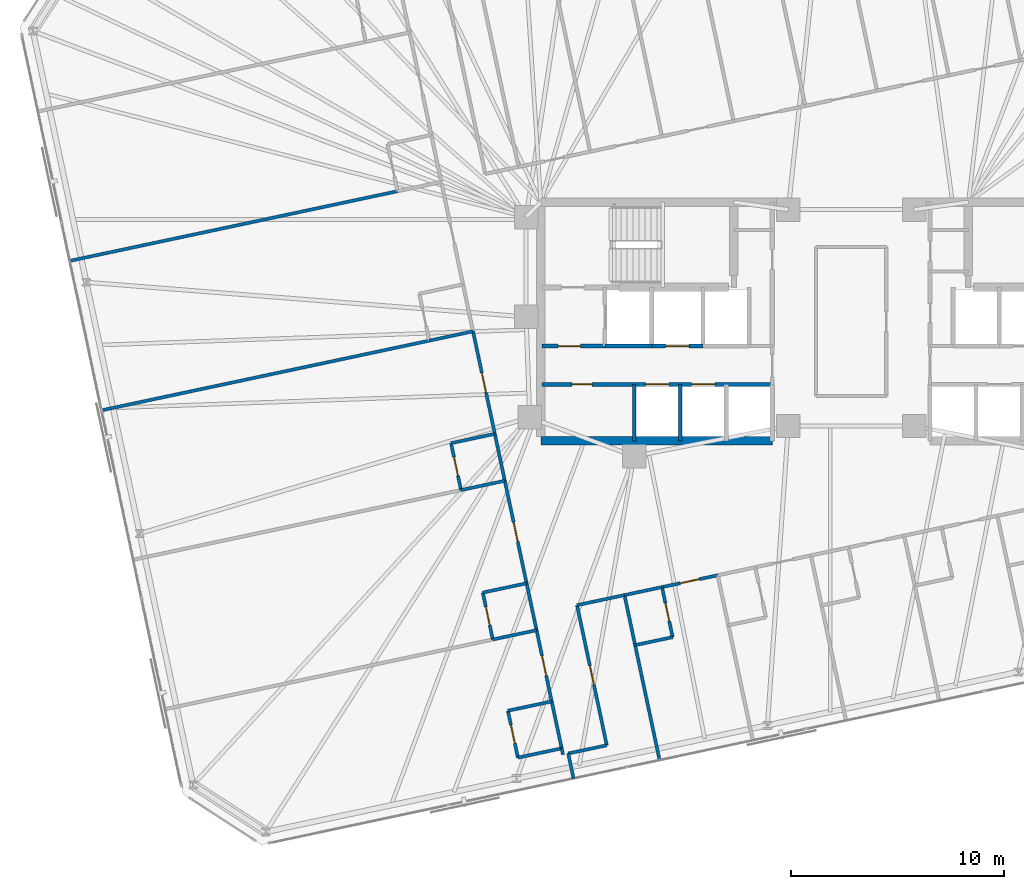
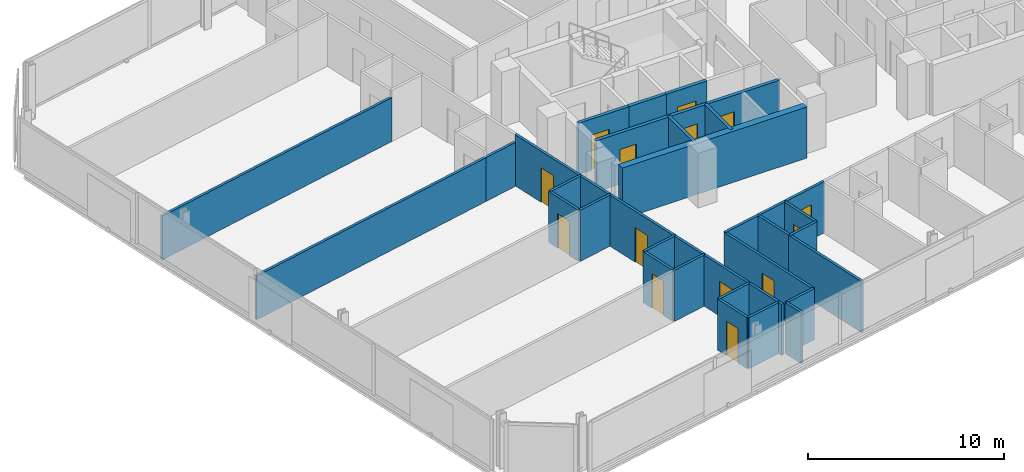
# One storey, part 14 of 21: 36 walls, 14 doors, 14 openings.
"""IFC4 building model written with IfcOpenShell, lengths in metres."""

from ifc_helpers import new_model, si_unit, direction, frame, frame_2d, origin, place, context, subcontext, project, spatial, rectangle, extrude, material, layer, layer_set, type_object, element, fill, save


model = new_model("IFC4")

# Units and contexts
model_context = context("Model", 3, precision=1e-05, world=origin(), true_north=direction((0.0, 1.0)))
body_context = subcontext(model_context, "Body", "Model", "MODEL_VIEW")
ifc_project = project(units=[si_unit("LENGTHUNIT", "METRE"), si_unit("AREAUNIT", "SQUARE_METRE"), si_unit("VOLUMEUNIT", "CUBIC_METRE"), si_unit("PLANEANGLEUNIT", "RADIAN"), si_unit("MASSUNIT", "GRAM", prefix="KILO")], contexts=[model_context])

# Site, building, storey
site_placement = place(None, origin())
site = spatial("IfcSite", under=ifc_project, at=site_placement, CompositionType="ELEMENT")
building_placement = place(site_placement, origin())
building = spatial("IfcBuilding", under=site, at=building_placement, Name="Menara Jurai Vektor", CompositionType="ELEMENT")
storey_placement = place(building_placement, frame((0.0, 0.0, 168.39990234375)))
storey = spatial("IfcBuildingStorey", under=building, at=storey_placement, Name="L43", CompositionType="ELEMENT", Elevation=168.39990234375)

# Wall, opening, door
ifc_material_1 = material(Name="Concrete C40/50", Category="concrete")
ifc_layer_1 = layer(ifc_material_1, 0.25)
ifc_layer_set_1 = layer_set([ifc_layer_1], Name="Concrete C40/50")
wall_type_1 = type_object("IfcWallType", Name="INT-WALL-CORE-250", PredefinedType="STANDARD", material=ifc_layer_set_1)
wall_1_placement = place(storey_placement, frame((-14.5, -1.14990234375, 0.0), z_axis=(0.0, 0.0, 1.0), x_axis=(1.0, 0.0, 0.0)))
wall_1 = element("IfcWall", 1, at=wall_1_placement, inside=storey, type_object=wall_type_1, Name="Interior Wall IW-250 L43", PredefinedType="STANDARD", context=body_context, shape_type="SweptSolid", body=[
    extrude(rectangle(XDim=2.949951171875, YDim=0.199951171875, at=frame_2d((1.47509765625, 0.0))), origin(), (0.0, 0.0, 1.0), 3.175048828125),
])
opening_1_placement = place(wall_1_placement, frame((0.75, 0.0, 0.0)))
opening_1 = element("IfcOpeningElement", 2, at=opening_1_placement, cuts=wall_1, Name="Opening D-L43-FFW", PredefinedType="OPENING", context=body_context, shape_type="SweptSolid", body=[
    extrude(rectangle(XDim=1.050048828125, YDim=2.179931640625, at=frame_2d((0.52490234375, 1.08984375))), frame((0.0, 0.10986328125, 0.0), z_axis=(0.0, -1.0, 0.0), x_axis=(1.0, 0.0, 0.0)), (0.0, 0.0, 1.0), 0.219970703125),
])
ifc_material_2 = material(Name="Fire-Rated Timber Door", Category="wood")
door_type_1 = type_object("IfcDoorType", Name="DR-LOBBY-1050", OperationType="NOTDEFINED", PredefinedType="DOOR", material=ifc_material_2)
door_1_placement = place(opening_1_placement, origin())
door_1 = element("IfcDoor", 3, at=door_1_placement, inside=storey, type_object=door_type_1, Name="Fire Lift Lobby Door W L43", OperationType="SINGLE_SWING_RIGHT", OverallHeight=2.179931640625, OverallWidth=1.050048828125, PredefinedType="DOOR", context=body_context, shape_type="SweptSolid", body=[
    extrude(rectangle(XDim=1.050048828125, YDim=2.179931640625, at=frame_2d((0.52490234375, 1.08984375))), frame((0.0, 0.02490234375, 0.0), z_axis=(0.0, -1.0, 0.0), x_axis=(1.0, 0.0, 0.0)), (0.0, 0.0, 1.0), 0.050048828125),
])
fill(opening_1, door_1)

# Walls
wall_2_placement = place(storey_placement, frame((-11.550048828125, -1.14990234375, 0.0), z_axis=(0.0, 0.0, 1.0), x_axis=(1.0, 0.0, 0.0)))
element("IfcWall", 4, at=wall_2_placement, inside=storey, type_object=wall_type_1, Name="Interior Wall IW-250 L43", PredefinedType="STANDARD", context=body_context, shape_type="SweptSolid", body=[
    extrude(rectangle(XDim=2.199951171875, YDim=0.199951171875, at=frame_2d((1.10009765625, 0.0))), origin(), (0.0, 0.0, 1.0), 3.175048828125),
])
ifc_material_3 = material(Name="Gypsum Fireboard Partition", Category="gypsum")
ifc_layer_2 = layer(ifc_material_3, 0.14990234375)
ifc_layer_set_2 = layer_set([ifc_layer_2], Name="Gypsum Fireboard Partition")
wall_type_2 = type_object("IfcWallType", Name="INT-WALL-CORR-150", PredefinedType="PARTITIONING", material=ifc_layer_set_2)
wall_3_placement = place(storey_placement, frame((-13.274169921875, -20.264892578125, 0.0), z_axis=(0.0, 0.0, 1.0), x_axis=(0.978160192495, 0.207852442415, 0.0)))
element("IfcWall", 5, at=wall_3_placement, inside=storey, type_object=wall_type_2, Name="Interior Wall IW-150 L43", PredefinedType="PARTITIONING", context=body_context, shape_type="SweptSolid", body=[
    extrude(rectangle(XDim=1.849853515625, YDim=0.14990234375, at=frame_2d((0.9248046875, 0.0))), origin(), (0.0, 0.0, 1.0), 3.175048828125),
])

# Wall, opening, door
wall_4_placement = place(storey_placement, frame((-11.464599609375, -19.88037109375, 0.0), z_axis=(0.0, 0.0, 1.0), x_axis=(-0.207916109912, 0.978146661416, 0.0)))
wall_4 = element("IfcWall", 6, at=wall_4_placement, inside=storey, type_object=wall_type_2, Name="Interior Wall IW-150 L43", PredefinedType="PARTITIONING", context=body_context, shape_type="SweptSolid", body=[
    extrude(rectangle(XDim=6.72021484375, YDim=0.14990234375, at=frame_2d((3.360107421875, 0.0))), origin(), (0.0, 0.0, 1.0), 3.175048828125),
])
opening_2_placement = place(wall_4_placement, frame((2.89990234375, 0.0, 0.0)))
opening_2 = element("IfcOpeningElement", 7, at=opening_2_placement, cuts=wall_4, Name="Opening D43-17", PredefinedType="OPENING", context=body_context, shape_type="SweptSolid", body=[
    extrude(rectangle(XDim=0.919921875, YDim=2.14990234375, at=frame_2d((0.4599609375, 1.074951171875))), frame((0.0, 0.0849609375, 0.0), z_axis=(0.0, -1.0, 0.0), x_axis=(1.0, 0.0, 0.0)), (0.0, 0.0, 1.0), 0.169921875),
])
ifc_material_4 = material(Name="Solid Core Timber Fire Door", Category="wood")
door_type_2 = type_object("IfcDoorType", Name="DR-ENTRY-950", OperationType="NOTDEFINED", PredefinedType="DOOR", material=ifc_material_4)
door_2_placement = place(opening_2_placement, origin())
door_2 = element("IfcDoor", 8, at=door_2_placement, inside=storey, type_object=door_type_2, Name="Interior Door D43-17", OperationType="SINGLE_SWING_RIGHT", OverallHeight=2.14990234375, OverallWidth=0.919921875, PredefinedType="DOOR", context=body_context, shape_type="SweptSolid", body=[
    extrude(rectangle(XDim=0.919921875, YDim=2.14990234375, at=frame_2d((0.4599609375, 1.074951171875))), frame((0.0, 0.02490234375, 0.0), z_axis=(0.0, -1.0, 0.0), x_axis=(1.0, 0.0, 0.0)), (0.0, 0.0, 1.0), 0.050048828125),
])
fill(opening_2, door_2)

# Wall
wall_5_placement = place(storey_placement, frame((-12.86181640625, -13.30712890625, 0.0), z_axis=(0.0, 0.0, 1.0), x_axis=(0.978150947903, 0.207895943, 0.0)))
element("IfcWall", 9, at=wall_5_placement, inside=storey, type_object=wall_type_2, Name="Interior Wall IW-150 L43", PredefinedType="PARTITIONING", context=body_context, shape_type="SweptSolid", body=[
    extrude(rectangle(XDim=2.277099609375, YDim=0.14990234375, at=frame_2d((1.138671875, 0.0))), origin(), (0.0, 0.0, 1.0), 3.175048828125),
])

# Wall, opening, door
wall_6_placement = place(storey_placement, frame((-8.873779296875, -12.45947265625, 0.0), z_axis=(0.0, 0.0, 1.0), x_axis=(0.978136784457, 0.207962570894, 0.0)))
wall_6 = element("IfcWall", 10, at=wall_6_placement, inside=storey, type_object=wall_type_2, Name="Interior Wall IW-150 L43", PredefinedType="PARTITIONING", context=body_context, shape_type="SweptSolid", body=[
    extrude(rectangle(XDim=2.671875, YDim=0.14990234375, at=frame_2d((1.3359375, 0.0))), origin(), (0.0, 0.0, 1.0), 3.175048828125),
])
opening_3_placement = place(wall_6_placement, frame((0.8759765625, 0.0, 0.0)))
opening_3 = element("IfcOpeningElement", 11, at=opening_3_placement, cuts=wall_6, Name="Opening D43-18", PredefinedType="OPENING", context=body_context, shape_type="SweptSolid", body=[
    extrude(rectangle(XDim=0.919921875, YDim=2.14990234375, at=frame_2d((0.4599609375, 1.074951171875))), frame((0.0, 0.0849609375, 0.0), z_axis=(0.0, -1.0, 0.0), x_axis=(1.0, 0.0, 0.0)), (0.0, 0.0, 1.0), 0.169921875),
])
door_3_placement = place(opening_3_placement, origin())
door_3 = element("IfcDoor", 12, at=door_3_placement, inside=storey, type_object=door_type_2, Name="Interior Door D43-18", OperationType="SINGLE_SWING_LEFT", OverallHeight=2.14990234375, OverallWidth=0.919921875, PredefinedType="DOOR", context=body_context, shape_type="SweptSolid", body=[
    extrude(rectangle(XDim=0.919921875, YDim=2.14990234375, at=frame_2d((0.4599609375, 1.074951171875))), frame((0.0, 0.02490234375, 0.0), z_axis=(0.0, -1.0, 0.0), x_axis=(1.0, 0.0, 0.0)), (0.0, 0.0, 1.0), 0.050048828125),
])
fill(opening_3, door_3)

# Walls
wall_7_placement = place(storey_placement, frame((-10.634521484375, -12.833740234375, 0.0), z_axis=(0.0, 0.0, 1.0), x_axis=(0.978146440129, 0.207917150959, 0.0)))
element("IfcWall", 13, at=wall_7_placement, inside=storey, type_object=wall_type_2, Name="Interior Wall IW-150 L43", PredefinedType="PARTITIONING", context=body_context, shape_type="SweptSolid", body=[
    extrude(rectangle(XDim=1.800048828125, YDim=0.14990234375, at=frame_2d((0.89990234375, 0.0))), origin(), (0.0, 0.0, 1.0), 3.175048828125),
])
wall_8_placement = place(storey_placement, frame((-13.518798828125, -20.31689453125, 0.0), z_axis=(0.0, 0.0, 1.0), x_axis=(-0.207527808066, 0.978229118806, 0.0)))
element("IfcWall", 14, at=wall_8_placement, inside=storey, type_object=wall_type_2, Name="Interior Wall IW-150 L43", PredefinedType="PARTITIONING", context=body_context, shape_type="SweptSolid", body=[
    extrude(rectangle(XDim=0.300048828125, YDim=0.14990234375, at=frame_2d((0.14990234375, 0.0))), origin(), (0.0, 0.0, 1.0), 3.175048828125),
])

# Wall, opening, door
wall_9_placement = place(storey_placement, frame((-14.048828125, -17.822509765625, 0.0), z_axis=(0.0, 0.0, 1.0), x_axis=(-0.207918572776, 0.978146137903, 0.0)))
wall_9 = element("IfcWall", 15, at=wall_9_placement, inside=storey, type_object=wall_type_2, Name="Interior Wall IW-150 L43", PredefinedType="PARTITIONING", context=body_context, shape_type="SweptSolid", body=[
    extrude(rectangle(XDim=3.4169921875, YDim=0.14990234375, at=frame_2d((1.70849609375, 0.0))), origin(), (0.0, 0.0, 1.0), 3.175048828125),
])
opening_4_placement = place(wall_9_placement, frame((1.2333984375, 0.0, 0.0)))
opening_4 = element("IfcOpeningElement", 16, at=opening_4_placement, cuts=wall_9, Name="Opening D43-30", PredefinedType="OPENING", context=body_context, shape_type="SweptSolid", body=[
    extrude(rectangle(XDim=0.949951171875, YDim=2.14990234375, at=frame_2d((0.47509765625, 1.074951171875))), frame((0.0, 0.0849609375, 0.0), z_axis=(0.0, -1.0, 0.0), x_axis=(1.0, 0.0, 0.0)), (0.0, 0.0, 1.0), 0.169921875),
])
door_4_placement = place(opening_4_placement, origin())
door_4 = element("IfcDoor", 17, at=door_4_placement, inside=storey, type_object=door_type_2, Name="Interior Door D43-30", OperationType="SINGLE_SWING_LEFT", OverallHeight=2.14990234375, OverallWidth=0.949951171875, PredefinedType="DOOR", context=body_context, shape_type="SweptSolid", body=[
    extrude(rectangle(XDim=0.949951171875, YDim=2.14990234375, at=frame_2d((0.47509765625, 1.074951171875))), frame((0.0, 0.02490234375, 0.0), z_axis=(0.0, -1.0, 0.0), x_axis=(1.0, 0.0, 0.0)), (0.0, 0.0, 1.0), 0.050048828125),
])
fill(opening_4, door_4)

# Wall
wall_10_placement = place(storey_placement, frame((-13.5810546875, -20.0234375, 0.0), z_axis=(0.0, 0.0, 1.0), x_axis=(-0.207891197838, 0.978151956427, 0.0)))
element("IfcWall", 18, at=wall_10_placement, inside=storey, type_object=wall_type_2, Name="Interior Wall IW-150 L43", PredefinedType="PARTITIONING", context=body_context, shape_type="SweptSolid", body=[
    extrude(rectangle(XDim=2.25, YDim=0.14990234375, at=frame_2d((1.125, 0.0))), origin(), (0.0, 0.0, 1.0), 3.175048828125),
])

# Wall, opening, door
wall_11_placement = place(storey_placement, frame((-15.22705078125, -12.279296875, 0.0), z_axis=(0.0, 0.0, 1.0), x_axis=(-0.20794488256, 0.978140545023, 0.0)))
wall_11 = element("IfcWall", 19, at=wall_11_placement, inside=storey, type_object=wall_type_2, Name="Interior Wall IW-150 L43", PredefinedType="PARTITIONING", context=body_context, shape_type="SweptSolid", body=[
    extrude(rectangle(XDim=4.915771484375, YDim=0.14990234375, at=frame_2d((2.4580078125, 0.0))), origin(), (0.0, 0.0, 1.0), 3.175048828125),
])
opening_5_placement = place(wall_11_placement, frame((1.98291015625, 0.0, 0.0)))
opening_5 = element("IfcOpeningElement", 20, at=opening_5_placement, cuts=wall_11, Name="Opening D43-32", PredefinedType="OPENING", context=body_context, shape_type="SweptSolid", body=[
    extrude(rectangle(XDim=0.949951171875, YDim=2.14990234375, at=frame_2d((0.47509765625, 1.074951171875))), frame((0.0, 0.0849609375, 0.0), z_axis=(0.0, -1.0, 0.0), x_axis=(1.0, 0.0, 0.0)), (0.0, 0.0, 1.0), 0.169921875),
])
door_5_placement = place(opening_5_placement, origin())
door_5 = element("IfcDoor", 21, at=door_5_placement, inside=storey, type_object=door_type_2, Name="Interior Door D43-32", OperationType="SINGLE_SWING_LEFT", OverallHeight=2.14990234375, OverallWidth=0.949951171875, PredefinedType="DOOR", context=body_context, shape_type="SweptSolid", body=[
    extrude(rectangle(XDim=0.949951171875, YDim=2.14990234375, at=frame_2d((0.47509765625, 1.074951171875))), frame((0.0, 0.02490234375, 0.0), z_axis=(0.0, -1.0, 0.0), x_axis=(1.0, 0.0, 0.0)), (0.0, 0.0, 1.0), 0.050048828125),
])
fill(opening_5, door_5)

# Wall
wall_12_placement = place(storey_placement, frame((-14.75927734375, -14.480224609375, 0.0), z_axis=(0.0, 0.0, 1.0), x_axis=(-0.207891197838, 0.978151956427, 0.0)))
element("IfcWall", 22, at=wall_12_placement, inside=storey, type_object=wall_type_2, Name="Interior Wall IW-150 L43", PredefinedType="PARTITIONING", context=body_context, shape_type="SweptSolid", body=[
    extrude(rectangle(XDim=2.25, YDim=0.14990234375, at=frame_2d((1.125, 0.0))), origin(), (0.0, 0.0, 1.0), 3.175048828125),
])

# Wall, opening, door
wall_13_placement = place(storey_placement, frame((-16.717041015625, -5.27001953125, 0.0), z_axis=(0.0, 0.0, 1.0), x_axis=(-0.207894386012, 0.978151278824, 0.0)))
wall_13 = element("IfcWall", 23, at=wall_13_placement, inside=storey, type_object=wall_type_2, Name="Interior Wall IW-150 L43", PredefinedType="PARTITIONING", context=body_context, shape_type="SweptSolid", body=[
    extrude(rectangle(XDim=4.9169921875, YDim=0.14990234375, at=frame_2d((2.45849609375, 0.0))), origin(), (0.0, 0.0, 1.0), 3.175048828125),
])
opening_6_placement = place(wall_13_placement, frame((1.9833984375, 0.0, 0.0)))
opening_6 = element("IfcOpeningElement", 24, at=opening_6_placement, cuts=wall_13, Name="Opening D43-34", PredefinedType="OPENING", context=body_context, shape_type="SweptSolid", body=[
    extrude(rectangle(XDim=0.949951171875, YDim=2.14990234375, at=frame_2d((0.47509765625, 1.074951171875))), frame((0.0, 0.0849609375, 0.0), z_axis=(0.0, -1.0, 0.0), x_axis=(1.0, 0.0, 0.0)), (0.0, 0.0, 1.0), 0.169921875),
])
door_6_placement = place(opening_6_placement, origin())
door_6 = element("IfcDoor", 25, at=door_6_placement, inside=storey, type_object=door_type_2, Name="Interior Door D43-34", OperationType="SINGLE_SWING_LEFT", OverallHeight=2.14990234375, OverallWidth=0.949951171875, PredefinedType="DOOR", context=body_context, shape_type="SweptSolid", body=[
    extrude(rectangle(XDim=0.949951171875, YDim=2.14990234375, at=frame_2d((0.47509765625, 1.074951171875))), frame((0.0, 0.02490234375, 0.0), z_axis=(0.0, -1.0, 0.0), x_axis=(1.0, 0.0, 0.0)), (0.0, 0.0, 1.0), 0.050048828125),
])
fill(opening_6, door_6)

# Walls
wall_14_placement = place(storey_placement, frame((-16.249267578125, -7.470947265625, 0.0), z_axis=(0.0, 0.0, 1.0), x_axis=(-0.207891197838, 0.978151956427, 0.0)))
element("IfcWall", 26, at=wall_14_placement, inside=storey, type_object=wall_type_2, Name="Interior Wall IW-150 L43", PredefinedType="PARTITIONING", context=body_context, shape_type="SweptSolid", body=[
    extrude(rectangle(XDim=2.25, YDim=0.14990234375, at=frame_2d((1.125, 0.0))), origin(), (0.0, 0.0, 1.0), 3.175048828125),
])
wall_15_placement = place(storey_placement, frame((-8.98779296875, -20.58056640625, 0.0), z_axis=(0.0, 0.0, 1.0), x_axis=(-0.20791588359, 0.978146709523, 0.0)))
element("IfcWall", 27, at=wall_15_placement, inside=storey, type_object=wall_type_2, Name="Interior Wall IW-150 L43", PredefinedType="PARTITIONING", context=body_context, shape_type="SweptSolid", body=[
    extrude(rectangle(XDim=5.52001953125, YDim=0.14990234375, at=frame_2d((2.760009765625, 0.0))), origin(), (0.0, 0.0, 1.0), 3.175048828125),
])
wall_16_placement = place(storey_placement, frame((-10.135498046875, -15.18115234375, 0.0), z_axis=(0.0, 0.0, 1.0), x_axis=(-0.207937840262, 0.978142042133, 0.0)))
element("IfcWall", 28, at=wall_16_placement, inside=storey, type_object=wall_type_2, Name="Interior Wall IW-150 L43", PredefinedType="PARTITIONING", context=body_context, shape_type="SweptSolid", body=[
    extrude(rectangle(XDim=2.39990234375, YDim=0.14990234375, at=frame_2d((1.199951171875, 0.0))), origin(), (0.0, 0.0, 1.0), 3.175048828125),
])
wall_17_placement = place(storey_placement, frame((-13.024658203125, -21.438720703125, 0.0), z_axis=(0.0, 0.0, 1.0), x_axis=(-0.207917150959, 0.978146440129, 0.0)))
element("IfcWall", 29, at=wall_17_placement, inside=storey, type_object=wall_type_2, Name="Interior Wall IW-150 L43", PredefinedType="PARTITIONING", context=body_context, shape_type="SweptSolid", body=[
    extrude(rectangle(XDim=1.199951171875, YDim=0.14990234375, at=frame_2d((0.60009765625, 0.0))), origin(), (0.0, 0.0, 1.0), 3.175048828125),
])
wall_18_placement = place(storey_placement, frame((-10.135498046875, -15.18115234375, 0.0), z_axis=(0.0, 0.0, 1.0), x_axis=(0.978140575842, 0.207944737591, 0.0)))
element("IfcWall", 30, at=wall_18_placement, inside=storey, type_object=wall_type_2, Name="Interior Wall IW-150 L43", PredefinedType="PARTITIONING", context=body_context, shape_type="SweptSolid", body=[
    extrude(rectangle(XDim=1.7998046875, YDim=0.14990234375, at=frame_2d((0.89990234375, 0.0))), origin(), (0.0, 0.0, 1.0), 3.175048828125),
])

# Wall, opening, door
wall_19_placement = place(storey_placement, frame((-8.375, -14.806884765625, 0.0), z_axis=(0.0, 0.0, 1.0), x_axis=(-0.207840504985, 0.978162729042, 0.0)))
wall_19 = element("IfcWall", 31, at=wall_19_placement, inside=storey, type_object=wall_type_2, Name="Interior Wall IW-150 L43", PredefinedType="PARTITIONING", context=body_context, shape_type="SweptSolid", body=[
    extrude(rectangle(XDim=2.39990234375, YDim=0.14990234375, at=frame_2d((1.199951171875, 0.0))), origin(), (0.0, 0.0, 1.0), 3.175048828125),
])
opening_7_placement = place(wall_19_placement, frame((0.760009765625, 0.0, 0.0)))
opening_7 = element("IfcOpeningElement", 32, at=opening_7_placement, cuts=wall_19, Name="Opening D43-19", PredefinedType="OPENING", context=body_context, shape_type="SweptSolid", body=[
    extrude(rectangle(XDim=0.8798828125, YDim=2.14990234375, at=frame_2d((0.43994140625, 1.074951171875))), frame((0.0, 0.0849609375, 0.0), z_axis=(0.0, -1.0, 0.0), x_axis=(1.0, 0.0, 0.0)), (0.0, 0.0, 1.0), 0.169921875),
])
ifc_material_5 = material(Name="Moisture-Resistant Timber Door", Category="wood")
door_type_3 = type_object("IfcDoorType", Name="DR-BATH-880", OperationType="NOTDEFINED", PredefinedType="DOOR", material=ifc_material_5)
door_7_placement = place(opening_7_placement, origin())
door_7 = element("IfcDoor", 33, at=door_7_placement, inside=storey, type_object=door_type_3, Name="Interior Door D43-19", OperationType="SINGLE_SWING_RIGHT", OverallHeight=2.14990234375, OverallWidth=0.8798828125, PredefinedType="DOOR", context=body_context, shape_type="SweptSolid", body=[
    extrude(rectangle(XDim=0.8798828125, YDim=2.14990234375, at=frame_2d((0.43994140625, 1.074951171875))), frame((0.0, 0.02490234375, 0.0), z_axis=(0.0, -1.0, 0.0), x_axis=(1.0, 0.0, 0.0)), (0.0, 0.0, 1.0), 0.050048828125),
])
fill(opening_7, door_7)

wall_20_placement = place(storey_placement, frame((-15.63525390625, -20.4599609375, 0.0), z_axis=(0.0, 0.0, 1.0), x_axis=(-0.207913264065, 0.978147266328, 0.0)))
wall_20 = element("IfcWall", 34, at=wall_20_placement, inside=storey, type_object=wall_type_2, Name="Interior Wall IW-150 L43", PredefinedType="PARTITIONING", context=body_context, shape_type="SweptSolid", body=[
    extrude(rectangle(XDim=2.249755859375, YDim=0.14990234375, at=frame_2d((1.125, 0.0))), origin(), (0.0, 0.0, 1.0), 3.175048828125),
])
opening_8_placement = place(wall_20_placement, frame((0.68505859375, 0.0, 0.0)))
opening_8 = element("IfcOpeningElement", 35, at=opening_8_placement, cuts=wall_20, Name="Opening D43-31", PredefinedType="OPENING", context=body_context, shape_type="SweptSolid", body=[
    extrude(rectangle(XDim=0.8798828125, YDim=2.14990234375, at=frame_2d((0.43994140625, 1.074951171875))), frame((0.0, 0.0849609375, 0.0), z_axis=(0.0, -1.0, 0.0), x_axis=(1.0, 0.0, 0.0)), (0.0, 0.0, 1.0), 0.169921875),
])
door_8_placement = place(opening_8_placement, origin())
door_8 = element("IfcDoor", 36, at=door_8_placement, inside=storey, type_object=door_type_3, Name="Interior Door D43-31", OperationType="SINGLE_SWING_RIGHT", OverallHeight=2.14990234375, OverallWidth=0.8798828125, PredefinedType="DOOR", context=body_context, shape_type="SweptSolid", body=[
    extrude(rectangle(XDim=0.8798828125, YDim=2.14990234375, at=frame_2d((0.43994140625, 1.074951171875))), frame((0.0, 0.02490234375, 0.0), z_axis=(0.0, -1.0, 0.0), x_axis=(1.0, 0.0, 0.0)), (0.0, 0.0, 1.0), 0.050048828125),
])
fill(opening_8, door_8)

# Walls
for number, where, z_axis, x_axis, name in (
    (37, (-15.63525390625, -20.4599609375, 0.0), (0.0, 0.0, 1.0), (0.97815826, 0.207861536591, 0.0), "Interior Wall IW-150 L43"),
    (38, (-16.10302734375, -18.25927734375, 0.0), (0.0, 0.0, 1.0), (0.978134617382, 0.207972763311, 0.0), "Interior Wall IW-150 L43"),
    (39, (-16.8134765625, -14.9169921875, 0.0), (0.0, 0.0, 1.0), (0.978134617382, 0.207972763311, 0.0), "Interior Wall IW-150 L43"),
):
    element("IfcWall", number, at=place(storey_placement, frame(where, z_axis=z_axis, x_axis=x_axis)), inside=storey, type_object=wall_type_2, Name=name, PredefinedType="PARTITIONING", context=body_context, shape_type="SweptSolid", body=[
        extrude(rectangle(XDim=2.10009765625, YDim=0.14990234375, at=frame_2d((1.050048828125, 0.0))), origin(), (0.0, 0.0, 1.0), 3.175048828125),
    ])

# Wall, opening, door
wall_21_placement = place(storey_placement, frame((-16.8134765625, -14.9169921875, 0.0), z_axis=(0.0, 0.0, 1.0), x_axis=(-0.207891197838, 0.978151956427, 0.0)))
wall_21 = element("IfcWall", 40, at=wall_21_placement, inside=storey, type_object=wall_type_2, Name="Interior Wall IW-150 L43", PredefinedType="PARTITIONING", context=body_context, shape_type="SweptSolid", body=[
    extrude(rectangle(XDim=2.25, YDim=0.14990234375, at=frame_2d((1.125, 0.0))), origin(), (0.0, 0.0, 1.0), 3.175048828125),
])
opening_9_placement = place(wall_21_placement, frame((0.68505859375, 0.0, 0.0)))
opening_9 = element("IfcOpeningElement", 41, at=opening_9_placement, cuts=wall_21, Name="Opening D43-33", PredefinedType="OPENING", context=body_context, shape_type="SweptSolid", body=[
    extrude(rectangle(XDim=0.8798828125, YDim=2.14990234375, at=frame_2d((0.43994140625, 1.074951171875))), frame((0.0, 0.0849609375, 0.0), z_axis=(0.0, -1.0, 0.0), x_axis=(1.0, 0.0, 0.0)), (0.0, 0.0, 1.0), 0.169921875),
])
door_9_placement = place(opening_9_placement, origin())
door_9 = element("IfcDoor", 42, at=door_9_placement, inside=storey, type_object=door_type_3, Name="Interior Door D43-33", OperationType="SINGLE_SWING_RIGHT", OverallHeight=2.14990234375, OverallWidth=0.8798828125, PredefinedType="DOOR", context=body_context, shape_type="SweptSolid", body=[
    extrude(rectangle(XDim=0.8798828125, YDim=2.14990234375, at=frame_2d((0.43994140625, 1.074951171875))), frame((0.0, 0.02490234375, 0.0), z_axis=(0.0, -1.0, 0.0), x_axis=(1.0, 0.0, 0.0)), (0.0, 0.0, 1.0), 0.050048828125),
])
fill(opening_9, door_9)

# Walls
wall_22_placement = place(storey_placement, frame((-17.28125, -12.716064453125, 0.0), z_axis=(0.0, 0.0, 1.0), x_axis=(0.978134617382, 0.207972763311, 0.0)))
element("IfcWall", 43, at=wall_22_placement, inside=storey, type_object=wall_type_2, Name="Interior Wall IW-150 L43", PredefinedType="PARTITIONING", context=body_context, shape_type="SweptSolid", body=[
    extrude(rectangle(XDim=2.10009765625, YDim=0.14990234375, at=frame_2d((1.050048828125, 0.0))), origin(), (0.0, 0.0, 1.0), 3.175048828125),
])
wall_23_placement = place(storey_placement, frame((-18.30322265625, -7.907470703125, 0.0), z_axis=(0.0, 0.0, 1.0), x_axis=(0.978153236239, 0.207885176084, 0.0)))
element("IfcWall", 44, at=wall_23_placement, inside=storey, type_object=wall_type_2, Name="Interior Wall IW-150 L43", PredefinedType="PARTITIONING", context=body_context, shape_type="SweptSolid", body=[
    extrude(rectangle(XDim=2.099853515625, YDim=0.14990234375, at=frame_2d((1.0498046875, 0.0))), origin(), (0.0, 0.0, 1.0), 3.175048828125),
])

# Wall, opening, door
wall_24_placement = place(storey_placement, frame((-18.30322265625, -7.907470703125, 0.0), z_axis=(0.0, 0.0, 1.0), x_axis=(-0.207891197838, 0.978151956427, 0.0)))
wall_24 = element("IfcWall", 45, at=wall_24_placement, inside=storey, type_object=wall_type_2, Name="Interior Wall IW-150 L43", PredefinedType="PARTITIONING", context=body_context, shape_type="SweptSolid", body=[
    extrude(rectangle(XDim=2.25, YDim=0.14990234375, at=frame_2d((1.125, 0.0))), origin(), (0.0, 0.0, 1.0), 3.175048828125),
])
opening_10_placement = place(wall_24_placement, frame((0.68505859375, 0.0, 0.0)))
opening_10 = element("IfcOpeningElement", 46, at=opening_10_placement, cuts=wall_24, Name="Opening D43-35", PredefinedType="OPENING", context=body_context, shape_type="SweptSolid", body=[
    extrude(rectangle(XDim=0.8798828125, YDim=2.14990234375, at=frame_2d((0.43994140625, 1.074951171875))), frame((0.0, 0.0849609375, 0.0), z_axis=(0.0, -1.0, 0.0), x_axis=(1.0, 0.0, 0.0)), (0.0, 0.0, 1.0), 0.169921875),
])
door_10_placement = place(opening_10_placement, origin())
door_10 = element("IfcDoor", 47, at=door_10_placement, inside=storey, type_object=door_type_3, Name="Interior Door D43-35", OperationType="SINGLE_SWING_RIGHT", OverallHeight=2.14990234375, OverallWidth=0.8798828125, PredefinedType="DOOR", context=body_context, shape_type="SweptSolid", body=[
    extrude(rectangle(XDim=0.8798828125, YDim=2.14990234375, at=frame_2d((0.43994140625, 1.074951171875))), frame((0.0, 0.02490234375, 0.0), z_axis=(0.0, -1.0, 0.0), x_axis=(1.0, 0.0, 0.0)), (0.0, 0.0, 1.0), 0.050048828125),
])
fill(opening_10, door_10)

# Walls
wall_25_placement = place(storey_placement, frame((-18.77099609375, -5.70654296875, 0.0), z_axis=(0.0, 0.0, 1.0), x_axis=(0.978153236239, 0.207885176084, 0.0)))
element("IfcWall", 48, at=wall_25_placement, inside=storey, type_object=wall_type_2, Name="Interior Wall IW-150 L43", PredefinedType="PARTITIONING", context=body_context, shape_type="SweptSolid", body=[
    extrude(rectangle(XDim=2.099853515625, YDim=0.14990234375, at=frame_2d((1.0498046875, 0.0))), origin(), (0.0, 0.0, 1.0), 3.175048828125),
])
ifc_layer_3 = layer(ifc_material_3, 0.14990234375)
ifc_layer_set_3 = layer_set([ifc_layer_3], Name="Gypsum Fireboard Partition")
wall_type_3 = type_object("IfcWallType", Name="INT-WALL-CORR-150-H1", PredefinedType="PARTITIONING", material=ifc_layer_set_3)
wall_26_placement = place(storey_placement, frame((-35.16796875, -4.1650390625, 0.0), z_axis=(0.0, 0.0, 1.0), x_axis=(0.978149296727, 0.207903711638, 0.0)))
element("IfcWall", 49, at=wall_26_placement, inside=storey, type_object=wall_type_3, Name="Interior Wall IW-150 L43", PredefinedType="PARTITIONING", context=body_context, shape_type="SweptSolid", body=[
    extrude(rectangle(XDim=15.718017578125, YDim=0.14990234375, at=frame_2d((7.85888671875, 0.0))), origin(), (0.0, 0.0, 1.0), 2.72509765625),
])
wall_27_placement = place(storey_placement, frame((-19.79345703125, -0.897216796875, 0.0), z_axis=(0.0, 0.0, 1.0), x_axis=(0.978134617382, 0.207972763311, 0.0)))
element("IfcWall", 50, at=wall_27_placement, inside=storey, type_object=wall_type_3, Name="Interior Wall IW-150 L43", PredefinedType="PARTITIONING", context=body_context, shape_type="SweptSolid", body=[
    extrude(rectangle(XDim=2.10009765625, YDim=0.14990234375, at=frame_2d((1.050048828125, 0.0))), origin(), (0.0, 0.0, 1.0), 2.72509765625),
])
wall_28_placement = place(storey_placement, frame((-36.657958984375, 2.84521484375, 0.0), z_axis=(0.0, 0.0, 1.0), x_axis=(0.978146137903, 0.207918572776, 0.0)))
element("IfcWall", 51, at=wall_28_placement, inside=storey, type_object=wall_type_3, Name="Interior Wall IW-150 L43", PredefinedType="PARTITIONING", context=body_context, shape_type="SweptSolid", body=[
    extrude(rectangle(XDim=15.718017578125, YDim=0.14990234375, at=frame_2d((7.85888671875, 0.0))), origin(), (0.0, 0.0, 1.0), 2.72509765625),
])

# Wall, opening, door
ifc_layer_4 = layer(ifc_material_1, 0.199951171875)
ifc_layer_set_4 = layer_set([ifc_layer_4], Name="Concrete C40/50")
wall_type_4 = type_object("IfcWallType", Name="INT-WALL-SHAFT-200", PredefinedType="STANDARD", material=ifc_layer_set_4)
wall_29_placement = place(storey_placement, frame((-9.35009765625, -1.14990234375, 0.0), z_axis=(0.0, 0.0, 1.0), x_axis=(1.0, 0.0, 0.0)))
wall_29 = element("IfcWall", 52, at=wall_29_placement, inside=storey, type_object=wall_type_4, Name="Interior Wall IW-200 L43", PredefinedType="STANDARD", context=body_context, shape_type="SweptSolid", body=[
    extrude(rectangle(XDim=2.400146484375, YDim=0.199951171875, at=frame_2d((1.2001953125, 0.0))), origin(), (0.0, 0.0, 1.0), 3.175048828125),
])
opening_11_placement = place(wall_29_placement, frame((0.64990234375, 0.0, 0.0)))
opening_11 = element("IfcOpeningElement", 53, at=opening_11_placement, cuts=wall_29, Name="Opening LD-L43-SVL1", PredefinedType="OPENING", context=body_context, shape_type="SweptSolid", body=[
    extrude(rectangle(XDim=1.10009765625, YDim=2.14990234375, at=frame_2d((0.550048828125, 1.074951171875))), frame((0.0, 0.10986328125, 0.0), z_axis=(0.0, -1.0, 0.0), x_axis=(1.0, 0.0, 0.0)), (0.0, 0.0, 1.0), 0.219970703125),
])
ifc_material_6 = material(Name="Anodised Stainless Sliding Lift Landing Door", Category="steel")
door_type_4 = type_object("IfcDoorType", Name="DR-LIFT-PASS-1100", OperationType="NOTDEFINED", PredefinedType="DOOR", material=ifc_material_6)
door_11_placement = place(opening_11_placement, origin())
door_11 = element("IfcDoor", 54, at=door_11_placement, inside=storey, type_object=door_type_4, Name="Lift Landing Door SVL1 L43", OperationType="SLIDING_TO_RIGHT", OverallHeight=2.14990234375, OverallWidth=1.10009765625, PredefinedType="DOOR", context=body_context, shape_type="SweptSolid", body=[
    extrude(rectangle(XDim=1.10009765625, YDim=2.14990234375, at=frame_2d((0.550048828125, 1.074951171875))), frame((0.0, 0.02490234375, 0.0), z_axis=(0.0, -1.0, 0.0), x_axis=(1.0, 0.0, 0.0)), (0.0, 0.0, 1.0), 0.050048828125),
])
fill(opening_11, door_11)

# Wall, openings, doors
wall_30_placement = place(storey_placement, frame((-14.5, -2.949951171875, 0.0), z_axis=(0.0, 0.0, 1.0), x_axis=(1.0, 0.0, 0.0)))
wall_30 = element("IfcWall", 55, at=wall_30_placement, inside=storey, type_object=wall_type_4, Name="Interior Wall IW-200 L43", PredefinedType="STANDARD", context=body_context, shape_type="SweptSolid", body=[
    extrude(rectangle(XDim=10.800048828125, YDim=0.199951171875, at=frame_2d((5.39990234375, 0.0))), origin(), (0.0, 0.0, 1.0), 3.175048828125),
])
opening_12_placement = place(wall_30_placement, frame((4.85009765625, 0.0, 0.0)))
opening_12 = element("IfcOpeningElement", 56, at=opening_12_placement, cuts=wall_30, Name="Opening LD-L43-PM1", PredefinedType="OPENING", context=body_context, shape_type="SweptSolid", body=[
    extrude(rectangle(XDim=1.10009765625, YDim=2.14990234375, at=frame_2d((0.550048828125, 1.074951171875))), frame((0.0, 0.10986328125, 0.0), z_axis=(0.0, -1.0, 0.0), x_axis=(1.0, 0.0, 0.0)), (0.0, 0.0, 1.0), 0.219970703125),
])
opening_13_placement = place(wall_30_placement, frame((7.010009765625, 0.0, 0.0)))
opening_13 = element("IfcOpeningElement", 57, at=opening_13_placement, cuts=wall_30, Name="Opening LD-L43-PM2", PredefinedType="OPENING", context=body_context, shape_type="SweptSolid", body=[
    extrude(rectangle(XDim=1.10009765625, YDim=2.14990234375, at=frame_2d((0.550048828125, 1.074951171875))), frame((0.0, 0.10986328125, 0.0), z_axis=(0.0, -1.0, 0.0), x_axis=(1.0, 0.0, 0.0)), (0.0, 0.0, 1.0), 0.219970703125),
])
opening_14_placement = place(wall_30_placement, frame((1.39990234375, 0.0, 0.0)))
opening_14 = element("IfcOpeningElement", 58, at=opening_14_placement, cuts=wall_30, Name="Opening D43-01", PredefinedType="OPENING", context=body_context, shape_type="SweptSolid", body=[
    extrude(rectangle(XDim=0.949951171875, YDim=2.14990234375, at=frame_2d((0.47509765625, 1.074951171875))), frame((0.0, 0.10986328125, 0.0), z_axis=(0.0, -1.0, 0.0), x_axis=(1.0, 0.0, 0.0)), (0.0, 0.0, 1.0), 0.219970703125),
])
door_12_placement = place(opening_14_placement, origin())
door_12 = element("IfcDoor", 59, at=door_12_placement, inside=storey, type_object=door_type_2, Name="Interior Door D43-01", OperationType="SINGLE_SWING_LEFT", OverallHeight=2.14990234375, OverallWidth=0.949951171875, PredefinedType="DOOR", context=body_context, shape_type="SweptSolid", body=[
    extrude(rectangle(XDim=0.949951171875, YDim=2.14990234375, at=frame_2d((0.47509765625, 1.074951171875))), frame((0.0, 0.02490234375, 0.0), z_axis=(0.0, -1.0, 0.0), x_axis=(1.0, 0.0, 0.0)), (0.0, 0.0, 1.0), 0.050048828125),
])
fill(opening_14, door_12)
door_13_placement = place(opening_12_placement, origin())
door_13 = element("IfcDoor", 60, at=door_13_placement, inside=storey, type_object=door_type_4, Name="Lift Landing Door PM1 L43", OperationType="SLIDING_TO_LEFT", OverallHeight=2.14990234375, OverallWidth=1.10009765625, PredefinedType="DOOR", context=body_context, shape_type="SweptSolid", body=[
    extrude(rectangle(XDim=1.10009765625, YDim=2.14990234375, at=frame_2d((0.550048828125, 1.074951171875))), frame((0.0, 0.02490234375, 0.0), z_axis=(0.0, -1.0, 0.0), x_axis=(1.0, 0.0, 0.0)), (0.0, 0.0, 1.0), 0.050048828125),
])
fill(opening_12, door_13)
door_14_placement = place(opening_13_placement, origin())
door_14 = element("IfcDoor", 61, at=door_14_placement, inside=storey, type_object=door_type_4, Name="Lift Landing Door PM2 L43", OperationType="SLIDING_TO_LEFT", OverallHeight=2.14990234375, OverallWidth=1.10009765625, PredefinedType="DOOR", context=body_context, shape_type="SweptSolid", body=[
    extrude(rectangle(XDim=1.10009765625, YDim=2.14990234375, at=frame_2d((0.550048828125, 1.074951171875))), frame((0.0, 0.02490234375, 0.0), z_axis=(0.0, -1.0, 0.0), x_axis=(1.0, 0.0, 0.0)), (0.0, 0.0, 1.0), 0.050048828125),
])
fill(opening_13, door_14)

# Walls
for number, where, z_axis, x_axis, name in (
    (62, (-10.179931640625, -5.60009765625, 0.0), (0.0, 0.0, 1.0), (0.0, 1.0, 0.0), "Interior Wall IW-200 L43"),
    (63, (-8.02001953125, -5.60009765625, 0.0), (0.0, 0.0, 1.0), (0.0, 1.0, 0.0), "Interior Wall IW-200 L43"),
):
    element("IfcWall", number, at=place(storey_placement, frame(where, z_axis=z_axis, x_axis=x_axis)), inside=storey, type_object=wall_type_4, Name=name, PredefinedType="STANDARD", context=body_context, shape_type="SweptSolid", body=[
        extrude(rectangle(XDim=2.650146484375, YDim=0.179931640625, at=frame_2d((1.3251953125, 0.0))), origin(), (0.0, 0.0, 1.0), 3.175048828125),
    ])
ifc_material_7 = material(Name="Concrete C50/60", Category="concrete")
ifc_layer_5 = layer(ifc_material_7, 0.39990234375)
ifc_layer_set_5 = layer_set([ifc_layer_5], Name="Concrete C50/60")
wall_type_5 = type_object("IfcWallType", Name="STR-WALL-CORE400", PredefinedType="SHEAR", material=ifc_layer_set_5)
wall_31_placement = place(storey_placement, frame((-14.56005859375, -5.60009765625, 0.0), z_axis=(0.0, 0.0, 1.0), x_axis=(1.0, 0.0, 0.0)))
element("IfcWall", 64, at=wall_31_placement, inside=storey, type_object=wall_type_5, Name="Core Shear Wall CW-W-S L43", PredefinedType="SHEAR", context=body_context, shape_type="SweptSolid", body=[
    extrude(rectangle(XDim=10.860107421875, YDim=0.39990234375, at=frame_2d((5.43017578125, 0.0))), origin(), (0.0, 0.0, 1.0), 3.175048828125),
])

save(model, "model.ifc")
